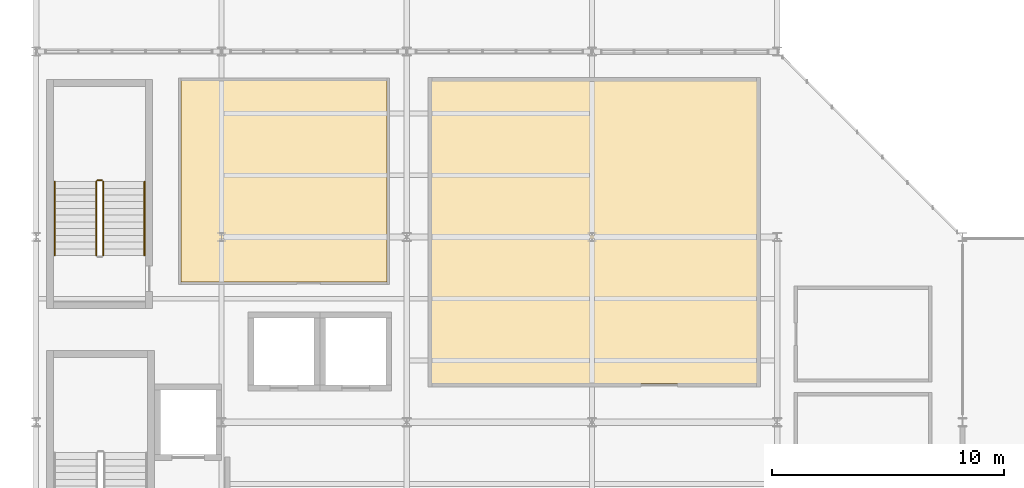
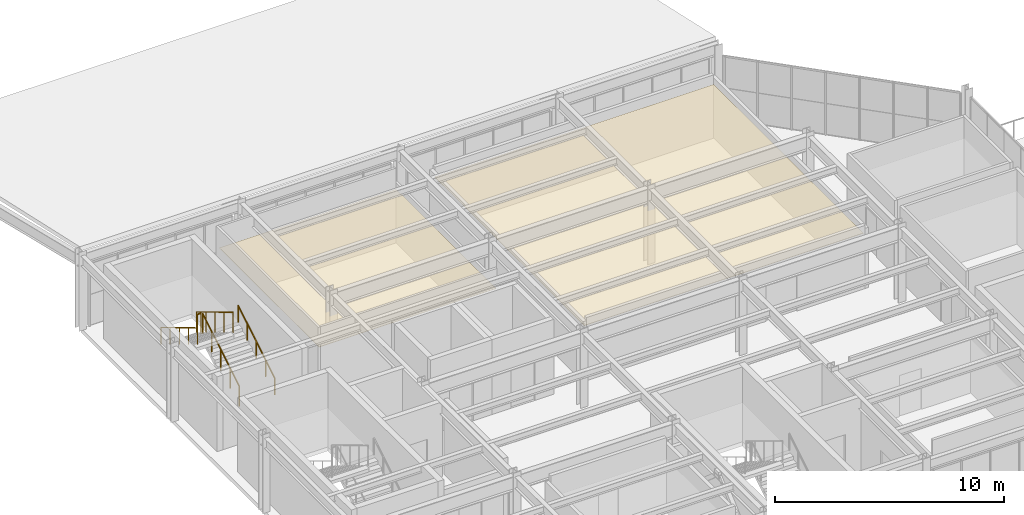
# One storey, part 26 of 27: 5 railings, 2 coverings.
"""IFC4 building model written with IfcOpenShell, lengths in metres."""

from ifc_helpers import new_model, si_unit, direction, frame, origin, origin_2d, place, context, subcontext, project, spatial, polyline, circle, outline, extrude, material, layer, layer_set, type_object, element, save


model = new_model("IFC4")

# Units and contexts
model_context = context("Model", 3, precision=1e-05, world=origin(), true_north=direction((0.0, 1.0)))
body_context = subcontext(model_context, "Body", "Model", "MODEL_VIEW")
ifc_project = project(units=[si_unit("LENGTHUNIT", "METRE"), si_unit("AREAUNIT", "SQUARE_METRE"), si_unit("VOLUMEUNIT", "CUBIC_METRE"), si_unit("PLANEANGLEUNIT", "RADIAN"), si_unit("MASSUNIT", "GRAM", prefix="KILO")], contexts=[model_context])

# Site, building, storey
site_placement = place(None, origin())
site = spatial("IfcSite", under=ifc_project, at=site_placement, CompositionType="ELEMENT")
building_placement = place(site_placement, origin())
building = spatial("IfcBuilding", under=site, at=building_placement, Name="Drelvath Fold Interchange", CompositionType="ELEMENT")
storey_placement = place(building_placement, frame((0.0, 0.0, 19.800048828125)))
storey = spatial("IfcBuildingStorey", under=building, at=storey_placement, Name="L04", CompositionType="ELEMENT", Elevation=19.800048828125)

# Coverings
ifc_material_1 = material(Name="Perforated Aluminium Acoustic Ceiling", Category="aluminium")
ifc_layer_1 = layer(ifc_material_1, 0.01806640625, Name="Perforated Aluminium Acoustic Ceiling")
ifc_layer_set_1 = layer_set([ifc_layer_1], Name="Perforated Aluminium Acoustic Ceiling")
covering_type_1 = type_object("IfcCoveringType", Name="CV-CEIL-AL18", PredefinedType="CEILING", material=ifc_layer_set_1)
covering_1_placement = place(storey_placement, frame((0.0, 0.0, 2.829833984375)))
element("IfcCovering", 1, at=covering_1_placement, inside=storey, type_object=covering_type_1, Name="Operator Duty Rest Room acoustic ceiling", PredefinedType="CEILING", context=body_context, shape_type="SweptSolid", body=[
    extrude(outline(polyline([(10.2470703125, 25.047119140625), (19.152099609375, 25.047119140625), (19.152099609375, 33.751953125), (10.2470703125, 33.751953125), (10.2470703125, 25.047119140625)])), origin(), (0.0, 0.0, 1.0), 0.02001953125),
])
ifc_layer_2 = layer(ifc_material_1, 0.02392578125, Name="Perforated Aluminium Acoustic Ceiling")
ifc_layer_set_2 = layer_set([ifc_layer_2], Name="Perforated Aluminium Acoustic Ceiling")
covering_type_2 = type_object("IfcCoveringType", Name="CV-CEIL-AL24", PredefinedType="CEILING", material=ifc_layer_set_2)
covering_2_placement = place(storey_placement, frame((0.0, 0.0, 2.829833984375)))
element("IfcCovering", 2, at=covering_2_placement, inside=storey, type_object=covering_type_2, Name="Multi-Agency Incident Command Floor acoustic ceiling", PredefinedType="CEILING", context=body_context, shape_type="SweptSolid", body=[
    extrude(outline(polyline([(21.074951171875, 20.675048828125), (35.125, 20.675048828125), (35.125, 33.72509765625), (21.074951171875, 33.72509765625), (21.074951171875, 20.675048828125)])), origin(), (0.0, 0.0, 1.0), 0.02001953125),
])

# Railings
ifc_material_2 = material(Name="Stainless Steel 316L", Category="steel")
railing_type_1 = type_object("IfcRailingType", Name="RL-GRD1100", PredefinedType="GUARDRAIL", material=ifc_material_2)
railing_1_placement = place(storey_placement, frame((6.889892578125, 26.199951171875, 0.175048828125)))
element("IfcRailing", 3, at=railing_1_placement, inside=storey, type_object=railing_type_1, Name="L04 ST-02 stair guard 1", PredefinedType="GUARDRAIL", context=body_context, shape_type="SweptSolid", body=[
    extrude(circle(Radius=0.02392578125, at=origin_2d()), frame((0.0, 0.0, 1.076171875), z_axis=(0.0, 0.856206652436, 0.516633495163), x_axis=(-1.0, 0.0, 0.0)), (0.0, 0.0, 1.0), 3.7255859375),
    extrude(circle(Radius=0.02099609375, at=origin_2d()), origin(), (0.0, 0.0, 1.0), 1.052001953125),
    extrude(circle(Radius=0.02099609375, at=origin_2d()), frame((0.0, 0.79736328125, 0.481201171875)), (0.0, 0.0, 1.0), 1.052001953125),
    extrude(circle(Radius=0.02099609375, at=origin_2d()), frame((0.0, 1.594970703125, 0.96240234375)), (0.0, 0.0, 1.0), 1.052001953125),
    extrude(circle(Radius=0.02099609375, at=origin_2d()), frame((0.0, 2.392578125, 1.443603515625)), (0.0, 0.0, 1.0), 1.052001953125),
    extrude(circle(Radius=0.02099609375, at=origin_2d()), frame((0.0, 3.18994140625, 1.9248046875)), (0.0, 0.0, 1.0), 1.052001953125),
])
railing_2_placement = place(storey_placement, frame((6.840087890625, 29.43994140625, 2.099853515625)))
element("IfcRailing", 4, at=railing_2_placement, inside=storey, type_object=railing_type_1, Name="L04 ST-02 stair guard 2", PredefinedType="GUARDRAIL", context=body_context, shape_type="SweptSolid", body=[
    extrude(circle(Radius=0.02392578125, at=origin_2d()), frame((0.0, 0.0, 1.076171875), z_axis=(-1.0, 0.0, 0.0), x_axis=(0.0, -1.0, 0.0)), (0.0, 0.0, 1.0), 0.2001953125),
    extrude(circle(Radius=0.02099609375, at=origin_2d()), origin(), (0.0, 0.0, 1.0), 1.052001953125),
    extrude(circle(Radius=0.02099609375, at=origin_2d()), frame((-0.2001953125, 0.0, 0.0)), (0.0, 0.0, 1.0), 1.052001953125),
])
railing_3_placement = place(storey_placement, frame((6.590087890625, 29.389892578125, 2.27490234375)))
element("IfcRailing", 5, at=railing_3_placement, inside=storey, type_object=railing_type_1, Name="L04 ST-02 stair guard 3", PredefinedType="GUARDRAIL", context=body_context, shape_type="SweptSolid", body=[
    extrude(circle(Radius=0.02392578125, at=origin_2d()), frame((0.0, 0.0, 1.076171875), z_axis=(0.0, -0.856177665481, 0.516681531633), x_axis=(1.0, 0.0, 0.0)), (0.0, 0.0, 1.0), 3.725830078125),
    extrude(circle(Radius=0.02099609375, at=origin_2d()), origin(), (0.0, 0.0, 1.0), 1.052001953125),
    extrude(circle(Radius=0.02099609375, at=origin_2d()), frame((0.0, -0.79736328125, 0.481201171875)), (0.0, 0.0, 1.0), 1.052001953125),
    extrude(circle(Radius=0.02099609375, at=origin_2d()), frame((0.0, -1.594970703125, 0.96240234375)), (0.0, 0.0, 1.0), 1.052001953125),
    extrude(circle(Radius=0.02099609375, at=origin_2d()), frame((0.0, -2.392578125, 1.44384765625)), (0.0, 0.0, 1.0), 1.052001953125),
    extrude(circle(Radius=0.02099609375, at=origin_2d()), frame((0.0, -3.18994140625, 1.925048828125)), (0.0, 0.0, 1.0), 1.052001953125),
])
railing_type_2 = type_object("IfcRailingType", Name="RL-HND920", PredefinedType="HANDRAIL", material=ifc_material_2)
railing_4_placement = place(storey_placement, frame((8.679931640625, 26.199951171875, 0.175048828125)))
element("IfcRailing", 6, at=railing_4_placement, inside=storey, type_object=railing_type_2, Name="L04 ST-02 stair handrail 1", PredefinedType="HANDRAIL", context=body_context, shape_type="SweptSolid", body=[
    extrude(circle(Radius=0.02392578125, at=origin_2d()), frame((0.0, 0.0, 0.8759765625), z_axis=(0.0, 0.856206652436, 0.516633495163), x_axis=(-1.0, 0.0, 0.0)), (0.0, 0.0, 1.0), 3.7255859375),
    extrude(circle(Radius=0.02099609375, at=origin_2d()), origin(), (0.0, 0.0, 1.0), 0.851806640625),
    extrude(circle(Radius=0.02099609375, at=origin_2d()), frame((0.0, 0.79736328125, 0.481201171875)), (0.0, 0.0, 1.0), 0.851806640625),
    extrude(circle(Radius=0.02099609375, at=origin_2d()), frame((0.0, 1.594970703125, 0.96240234375)), (0.0, 0.0, 1.0), 0.851806640625),
    extrude(circle(Radius=0.02099609375, at=origin_2d()), frame((0.0, 2.392578125, 1.443603515625)), (0.0, 0.0, 1.0), 0.851806640625),
    extrude(circle(Radius=0.02099609375, at=origin_2d()), frame((0.0, 3.18994140625, 1.9248046875)), (0.0, 0.0, 1.0), 0.851806640625),
])
railing_5_placement = place(storey_placement, frame((4.800048828125, 29.389892578125, 2.27490234375)))
element("IfcRailing", 7, at=railing_5_placement, inside=storey, type_object=railing_type_2, Name="L04 ST-02 stair handrail 2", PredefinedType="HANDRAIL", context=body_context, shape_type="SweptSolid", body=[
    extrude(circle(Radius=0.02392578125, at=origin_2d()), frame((0.0, 0.0, 0.8759765625), z_axis=(0.0, -0.856177665481, 0.516681531633), x_axis=(1.0, 0.0, 0.0)), (0.0, 0.0, 1.0), 3.725830078125),
    extrude(circle(Radius=0.02099609375, at=origin_2d()), origin(), (0.0, 0.0, 1.0), 0.851806640625),
    extrude(circle(Radius=0.02099609375, at=origin_2d()), frame((0.0, -0.79736328125, 0.481201171875)), (0.0, 0.0, 1.0), 0.851806640625),
    extrude(circle(Radius=0.02099609375, at=origin_2d()), frame((0.0, -1.594970703125, 0.96240234375)), (0.0, 0.0, 1.0), 0.851806640625),
    extrude(circle(Radius=0.02099609375, at=origin_2d()), frame((0.0, -2.392578125, 1.44384765625)), (0.0, 0.0, 1.0), 0.851806640625),
    extrude(circle(Radius=0.02099609375, at=origin_2d()), frame((0.0, -3.18994140625, 1.925048828125)), (0.0, 0.0, 1.0), 0.851806640625),
])

save(model, "model.ifc")
